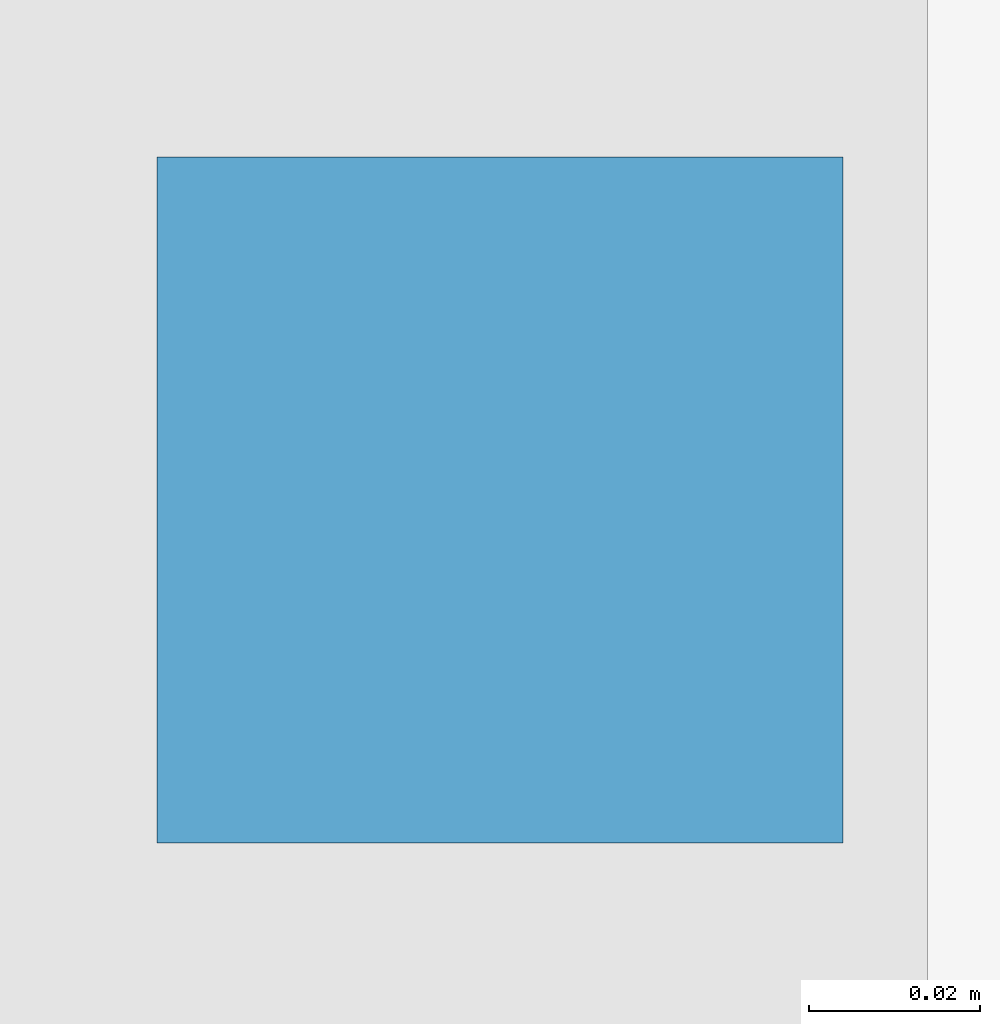
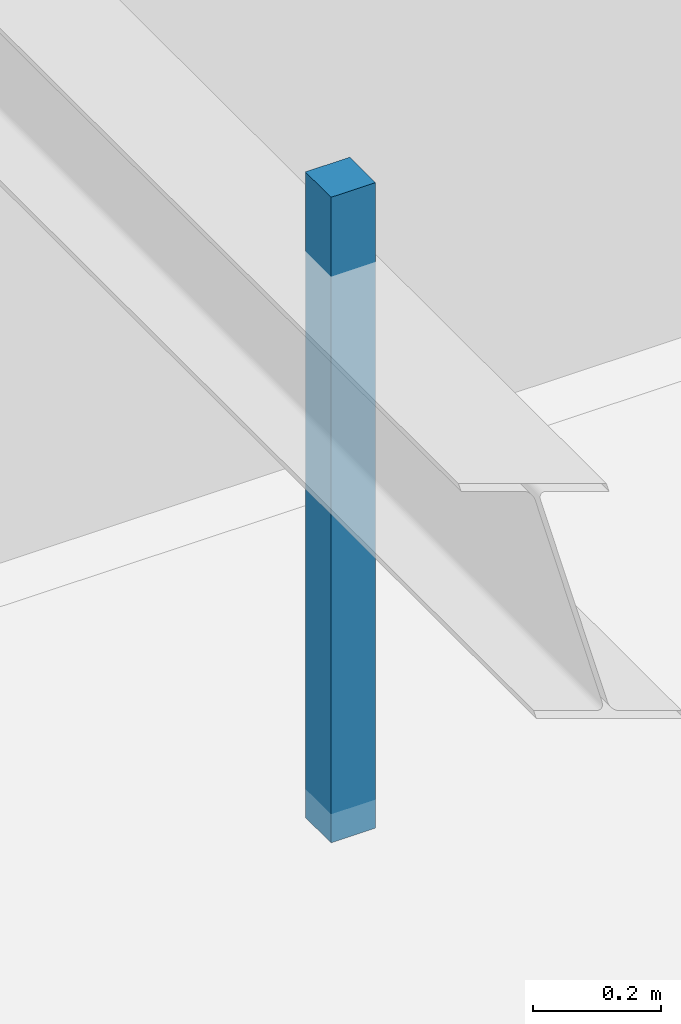
# One storey, part 56 of 63: 1 discrete accessory.
"""IFC4 building model written with IfcOpenShell, lengths in metres."""

from ifc_helpers import new_model, si_unit, direction, frame, origin, origin_2d, place, context, subcontext, project, spatial, rectangle, extrude, material, layer, layer_set, type_object, element, save


model = new_model("IFC4")

# Units and contexts
model_context = context("Model", 3, precision=1e-05, world=origin(), true_north=direction((0.0, 1.0)))
body_context = subcontext(model_context, "Body", "Model", "MODEL_VIEW")
ifc_project = project(units=[si_unit("LENGTHUNIT", "METRE"), si_unit("AREAUNIT", "SQUARE_METRE"), si_unit("VOLUMEUNIT", "CUBIC_METRE"), si_unit("PLANEANGLEUNIT", "RADIAN"), si_unit("MASSUNIT", "GRAM", prefix="KILO")], contexts=[model_context])

# Site, building, storey
site_placement = place(None, origin())
site = spatial("IfcSite", under=ifc_project, at=site_placement, CompositionType="ELEMENT")
building_placement = place(site_placement, origin())
building = spatial("IfcBuilding", under=site, at=building_placement, Name="Varnabhumi Central Station", CompositionType="ELEMENT")
storey_placement = place(building_placement, frame((0.0, 0.0, 20.39990234375)))
storey = spatial("IfcBuildingStorey", under=building, at=storey_placement, Name="L04", CompositionType="ELEMENT", Elevation=20.39990234375)

# Discrete accessory
ifc_material = material(Name="Structural steel E350", Category="steel")
ifc_layer = layer(ifc_material, 0.159912109375, Name="Structural steel E350", Category="steel")
ifc_layer_set = layer_set([ifc_layer], Name="Structural steel E350")
discrete_accessory_type = type_object("IfcDiscreteAccessoryType", Name="ACC-SHADE-BRKT", PredefinedType="BRACKET", material=ifc_layer_set)
discrete_accessory_placement = place(storey_placement, frame((132.050048828125, 4.5, 2.840087890625), z_axis=(0.0, 0.0, 1.0), x_axis=(1.0, 0.0, 0.0)))
element("IfcDiscreteAccessory", 1, at=discrete_accessory_placement, inside=storey, type_object=discrete_accessory_type, Name="Signalling and Telecom Spares Store Ceiling Hanger", PredefinedType="BRACKET", context=body_context, shape_type="SweptSolid", body=[
    extrude(rectangle(XDim=0.080078125, YDim=0.080078125, at=origin_2d()), origin(), (0.0, 0.0, 1.0), 1.22998046875),
])

save(model, "model.ifc")
